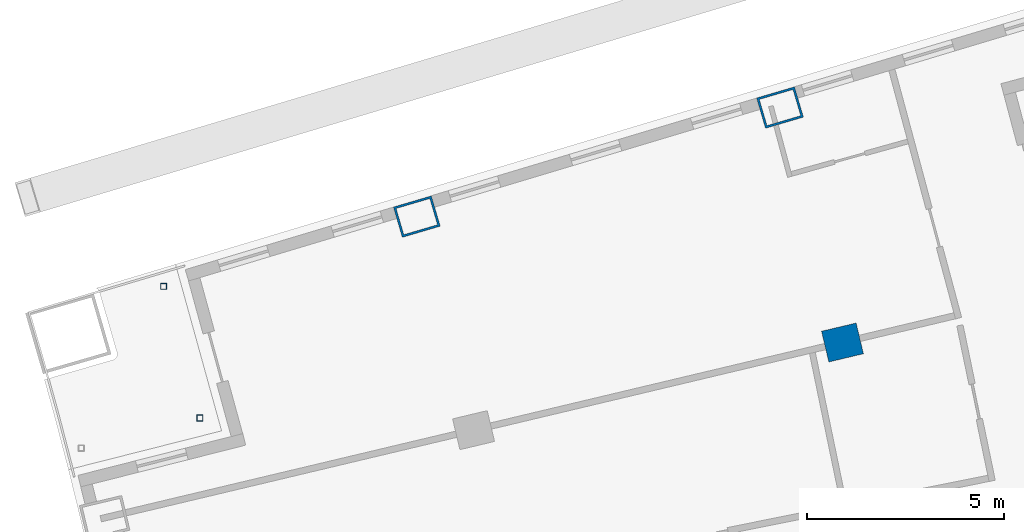
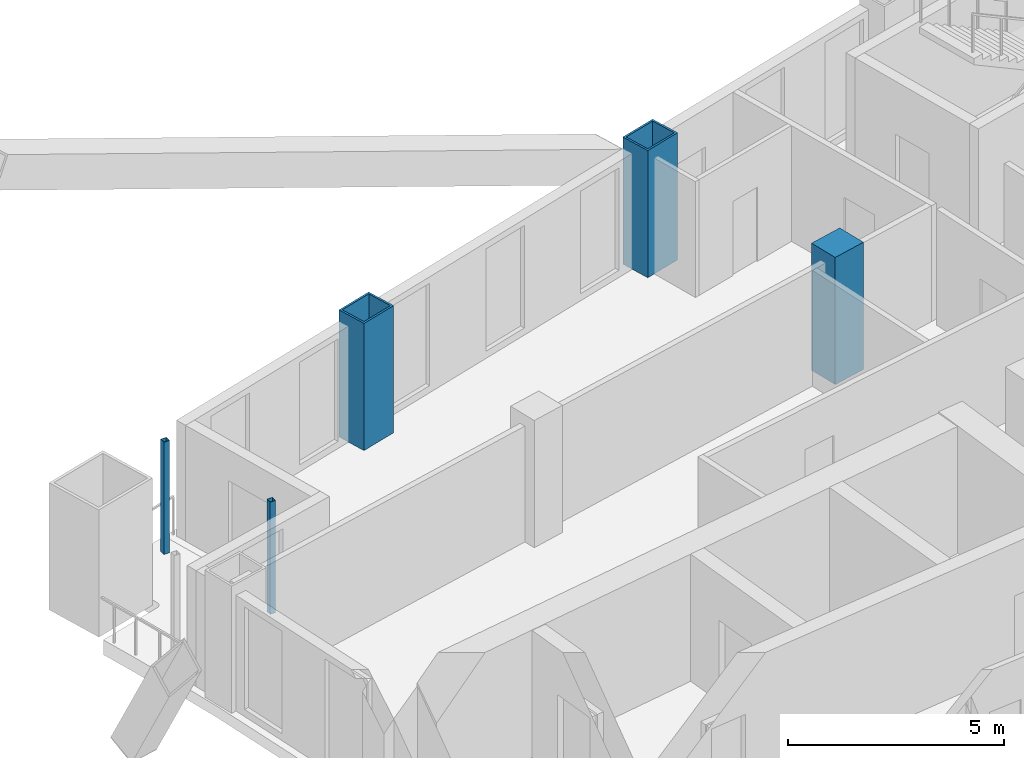
# One storey, part 7 of 20: 5 columns.
"""IFC4 building model written with IfcOpenShell, lengths in metres."""

import ifcopenshell
import ifcopenshell.guid

model = None  # the IFC model being written
_history = None  # IfcOwnerHistory: only IFC2X3 demands one
_inside = {}  # id of a spatial element -> (the spatial element, [elements in it])
_under = {}  # id of a project, library or spatial element -> (it, [spatial elements below it])
_declared = {}  # id of a project -> (the project, [libraries it declares])
_typed = {}  # id of a type object -> (the type object, [elements of that type])
_made_of = {}  # id of a material, layer set ... -> (it, [elements and type objects made of it])


def new_model(schema):
    """Start an empty IFC model of exactly this schema.

    Asked for "IFC4X3", IfcOpenShell would pick the latest addendum, in which some entities
    have other attributes; the version numbers below select the first issue.
    IFC2X3 requires an IfcOwnerHistory on every rooted entity: one is made here for all.
    """
    global model, _history
    if schema == "IFC4X3":
        model = ifcopenshell.file(schema_version=(4, 3, 0, 0))
    else:
        model = ifcopenshell.file(schema=schema)
    _inside.clear()
    _under.clear()
    _declared.clear()
    _typed.clear()
    _made_of.clear()
    _history = None
    if model.schema == "IFC2X3":
        org = make("IfcOrganization", Name="unknown")
        user = make(
            "IfcPersonAndOrganization",
            ThePerson=make("IfcPerson", FamilyName="unknown"),
            TheOrganization=org,
        )
        app = make(
            "IfcApplication",
            ApplicationDeveloper=org,
            Version="unknown",
            ApplicationFullName="unknown",
            ApplicationIdentifier="unknown",
        )
        _history = make(
            "IfcOwnerHistory",
            OwningUser=user,
            OwningApplication=app,
            ChangeAction="ADDED",
            CreationDate=0,
        )
    return model


def make(cls, **values):
    """One entity of the class cls with the attributes given. An attribute that is None is left unset."""
    return model.create_entity(
        cls, **{name: value for name, value in values.items() if value is not None}
    )


def rooted(cls, **values):
    """An entity with a GlobalId (a new one), such as an element, a storey or a relation."""
    return make(cls, GlobalId=ifcopenshell.guid.new(), OwnerHistory=_history, **values)


def si_unit(unit_type, name, prefix=None):
    """IfcSIUnit, for example si_unit("LENGTHUNIT", "METRE", prefix="MILLI")."""
    return make("IfcSIUnit", UnitType=unit_type, Prefix=prefix, Name=name)


def assignment(units):
    """IfcUnitAssignment: the units of a project."""
    return None if units is None else make("IfcUnitAssignment", Units=units)


def point(xyz):
    """IfcCartesianPoint."""
    return None if xyz is None else make("IfcCartesianPoint", Coordinates=xyz)


def direction(xyz):
    """IfcDirection."""
    return None if xyz is None else make("IfcDirection", DirectionRatios=xyz)


def frame(location, z_axis=None, x_axis=None):
    """IfcAxis2Placement3D, a coordinate frame: its origin and axes. An axis left out is left unset."""
    return make(
        "IfcAxis2Placement3D",
        Location=point(location),
        Axis=direction(z_axis),
        RefDirection=direction(x_axis),
    )


def frame_2d(location, x_axis=None):
    """IfcAxis2Placement2D, a coordinate frame in the plane: its origin and x axis."""
    return make(
        "IfcAxis2Placement2D", Location=point(location), RefDirection=direction(x_axis)
    )


def origin():
    """The frame at (0, 0, 0) with its axes left unset."""
    return frame((0.0, 0.0, 0.0))


def origin_2d():
    """The frame at (0, 0) in the plane with its x axis left unset."""
    return frame_2d((0.0, 0.0))


def place(relative_to, where):
    """IfcLocalPlacement: puts the frame where relative to a parent placement (None: the world)."""
    return make(
        "IfcLocalPlacement", PlacementRelTo=relative_to, RelativePlacement=where
    )


def context(
    kind, dimensions, precision=None, world=None, true_north=None, identifier=None
):
    """IfcGeometricRepresentationContext, for example the 3D "Model" context."""
    return make(
        "IfcGeometricRepresentationContext",
        ContextIdentifier=identifier,
        ContextType=kind,
        CoordinateSpaceDimension=dimensions,
        Precision=precision,
        WorldCoordinateSystem=world,
        TrueNorth=true_north,
    )


def subcontext(parent, identifier, kind, view, scale=None):
    """IfcGeometricRepresentationSubContext, for example "Body" below "Model"."""
    return make(
        "IfcGeometricRepresentationSubContext",
        ContextIdentifier=identifier,
        ContextType=kind,
        ParentContext=parent,
        TargetScale=scale,
        TargetView=view,
    )


def project(units=None, contexts=None):
    """IfcProject with its units and contexts."""
    return rooted(
        "IfcProject",
        Name="project",
        RepresentationContexts=contexts,
        UnitsInContext=assignment(units),
    )


def spatial(cls, under=None, at=None, **own):
    """A site, building, storey or space (cls), placed at a placement, below another one or the project."""
    s = rooted(cls, ObjectPlacement=at, **own)
    if under is not None:
        _under.setdefault(under.id(), (under, []))[1].append(s)
    return s


def profile(cls, at=None, kind="AREA", **sizes):
    """A parametric profile (cls). Its sizes go by their IFC names, for example OverallWidth=200.0."""
    return make(cls, ProfileType=kind, Position=at, **sizes)


def rectangle(**sizes):
    """IfcRectangleProfileDef."""
    return profile("IfcRectangleProfileDef", **sizes)


def hollow_rectangle(**sizes):
    """IfcRectangleHollowProfileDef."""
    return profile("IfcRectangleHollowProfileDef", **sizes)


def extrude(swept, where, along, depth):
    """IfcExtrudedAreaSolid: the profile swept, set in the frame where, extruded along a direction by depth."""
    return make(
        "IfcExtrudedAreaSolid",
        SweptArea=swept,
        Position=where,
        ExtrudedDirection=direction(along),
        Depth=depth,
    )


def shape(context_of_items, identifier, shape_type, items):
    """IfcShapeRepresentation: the items that make up one representation, for example the "Body"."""
    return make(
        "IfcShapeRepresentation",
        ContextOfItems=context_of_items,
        RepresentationIdentifier=identifier,
        RepresentationType=shape_type,
        Items=items,
    )


def material(Name=None, Category=None):
    """IfcMaterial."""
    return make("IfcMaterial", Name=Name, Category=Category)


def material_profile(
    of_material, cross_section, Name=None, Category=None, Priority=None
):
    """IfcMaterialProfile: a cross section and its material."""
    return make(
        "IfcMaterialProfile",
        Name=Name,
        Material=of_material,
        Profile=cross_section,
        Priority=Priority,
        Category=Category,
    )


def profile_set(profiles, Name=None, composite=None):
    """IfcMaterialProfileSet."""
    return make(
        "IfcMaterialProfileSet",
        Name=Name,
        MaterialProfiles=profiles,
        CompositeProfile=composite,
    )


def made_of(thing, what):
    """Note that an element or type object is made of a material, layer set ...; save() writes the relation."""
    if what is not None:
        _made_of.setdefault(what.id(), (what, []))[1].append(thing)
    return thing


def type_object(cls, material=None, **own):
    """A type object (cls), such as IfcWallType, which elements share."""
    return made_of(rooted(cls, **own), material)


def element(
    cls,
    number,
    at=None,
    inside=None,
    cuts=None,
    type_object=None,
    material=None,
    context=None,
    identifier="Body",
    shape_type=None,
    held_by="IfcProductDefinitionShape",
    body=None,
    shapes=None,
    **own,
):
    """One element of the class cls, such as IfcWall. Its Tag is "e" and its number.

    at: its placement. inside: the storey or other place that contains it. cuts: it is an
    opening in that element (IfcRelVoidsElement). A single representation is given by context,
    identifier, shape_type and body (its items); several are given by shapes. held_by: the class
    of the entity that holds the representations. save() writes the other relations.
    """
    e = rooted(cls, Tag="e%d" % number, ObjectPlacement=at, **own)
    if body is not None:
        shapes = [shape(context, identifier, shape_type, body)]
    if shapes is not None:
        e.Representation = make(held_by, Representations=shapes)
    if inside is not None:
        _inside.setdefault(inside.id(), (inside, []))[1].append(e)
    if cuts is not None:
        rooted(
            "IfcRelVoidsElement", RelatingBuildingElement=cuts, RelatedOpeningElement=e
        )
    if type_object is not None:
        _typed.setdefault(type_object.id(), (type_object, []))[1].append(e)
    return made_of(e, material)


def aggregate(whole, parts):
    """IfcRelAggregates: a whole, such as a stair, and the parts it consists of."""
    return rooted("IfcRelAggregates", RelatingObject=whole, RelatedObjects=parts)


def save(model, path):
    """Write the relations noted so far, then the file.

    IfcRelAggregates (storeys below a building ...), IfcRelContainedInSpatialStructure (elements
    in a storey), IfcRelDefinesByType, IfcRelAssociatesMaterial and IfcRelDeclares: one each for
    every whole, place, type object, material and project.
    """
    for whole, parts in _under.values():
        aggregate(whole, parts)
    for where, things in _inside.values():
        rooted(
            "IfcRelContainedInSpatialStructure",
            RelatedElements=things,
            RelatingStructure=where,
        )
    for kind, things in _typed.values():
        rooted("IfcRelDefinesByType", RelatedObjects=things, RelatingType=kind)
    for what, things in _made_of.values():
        rooted("IfcRelAssociatesMaterial", RelatedObjects=things, RelatingMaterial=what)
    for by, libraries in _declared.values():
        rooted("IfcRelDeclares", RelatingContext=by, RelatedDefinitions=libraries)
    model.write(path)


model = new_model("IFC4")

# Units and contexts
model_context = context("Model", 3, precision=1e-05, world=origin(), true_north=direction((0.0, 1.0)))
body_context = subcontext(model_context, "Body", "Model", "MODEL_VIEW")
ifc_project = project(units=[si_unit("LENGTHUNIT", "METRE"), si_unit("AREAUNIT", "SQUARE_METRE"), si_unit("VOLUMEUNIT", "CUBIC_METRE"), si_unit("PLANEANGLEUNIT", "RADIAN"), si_unit("MASSUNIT", "GRAM", prefix="KILO")], contexts=[model_context])

# Site, building, storey
site_placement = place(None, origin())
site = spatial("IfcSite", under=ifc_project, at=site_placement, CompositionType="ELEMENT")
building_placement = place(site_placement, origin())
building = spatial("IfcBuilding", under=site, at=building_placement, Name="Alderwake Tower", CompositionType="ELEMENT")
storey_placement = place(building_placement, frame((0.0, 0.0, 149.60009765625)))
storey = spatial("IfcBuildingStorey", under=building, at=storey_placement, Name="L36", CompositionType="ELEMENT", Elevation=149.60009765625)

# Columns
ifc_material_1 = material(Name="Steel ASTM A572 Grade 50 concrete filled C70/85", Category="concrete")
ifc_material_profile_1 = material_profile(ifc_material_1, hollow_rectangle(XDim=0.800048828125, YDim=1.0, WallThickness=0.054931640625, at=origin_2d()), Name="BOX 1000X800X55")
ifc_profile_set_1 = profile_set([ifc_material_profile_1], Name="Steel ASTM A572 Grade 50 concrete filled C70/85")
column_type_1 = type_object("IfcColumnType", Name="End column Z3", PredefinedType="COLUMN", material=ifc_profile_set_1)
for number, where, z_axis, x_axis, name in (
    (1, (21.885498046875, 90.96240234375, 0.0), (0.0, 0.0, 1.0), (-0.282132160283, 0.95937554906, 0.0), "Column R12-C1"),
    (2, (31.080322265625, 93.72314453125, 0.0), (0.0, 0.0, 1.0), (-0.282582549822, 0.959242984095, 0.0), "Column R12-C2"),
):
    element("IfcColumn", number, at=place(storey_placement, frame(where, z_axis=z_axis, x_axis=x_axis)), inside=storey, type_object=column_type_1, Name=name, PredefinedType="COLUMN", context=body_context, shape_type="SweptSolid", body=[
        extrude(hollow_rectangle(XDim=0.800048828125, YDim=1.0, WallThickness=0.054931640625, at=origin_2d()), origin(), (0.0, 0.0, 1.0), 3.599853515625),
    ])
ifc_material_2 = material(Name="Concrete C70/85", Category="concrete")
ifc_material_profile_2 = material_profile(ifc_material_2, rectangle(XDim=0.800048828125, YDim=0.89990234375, at=origin_2d()), Name="RC 900X800")
ifc_profile_set_2 = profile_set([ifc_material_profile_2], Name="Concrete C70/85")
column_type_2 = type_object("IfcColumnType", Name="Interior column Z3", PredefinedType="COLUMN", material=ifc_profile_set_2)
column_placement = place(storey_placement, frame((32.661865234375, 87.775390625, 0.0), z_axis=(0.0, 0.0, 1.0), x_axis=(-0.231221547198, 0.972901123502, 0.0)))
element("IfcColumn", 3, at=column_placement, inside=storey, type_object=column_type_2, Name="Column R11-C2", PredefinedType="COLUMN", context=body_context, shape_type="SweptSolid", body=[
    extrude(rectangle(XDim=0.800048828125, YDim=0.89990234375, at=origin_2d()), origin(), (0.0, 0.0, 1.0), 3.599853515625),
])
ifc_material_3 = material(Name="Steel ASTM A500 Grade C", Category="steel")
ifc_material_profile_3 = material_profile(ifc_material_3, hollow_rectangle(XDim=0.15234375, YDim=0.15234375, WallThickness=0.0087890625, at=origin_2d()), Name="HSS6X6X3/8")
ifc_profile_set_3 = profile_set([ifc_material_profile_3], Name="Steel ASTM A500 Grade C")
column_type_3 = type_object("IfcColumnType", Name="Light post HSS6X6X3/8", PredefinedType="COLUMN", material=ifc_profile_set_3)
for number, where, z_axis, x_axis, name in (
    (4, (15.47412109375, 89.194091796875, 0.0), (0.0, 0.0, 1.0), (1.0, 0.0, 0.0), "Terrace post RN2"),
    (5, (16.39501953125, 85.864013671875, 0.0), (0.0, 0.0, 1.0), (1.0, 0.0, 0.0), "Terrace post RN3"),
):
    element("IfcColumn", number, at=place(storey_placement, frame(where, z_axis=z_axis, x_axis=x_axis)), inside=storey, type_object=column_type_3, Name=name, PredefinedType="COLUMN", context=body_context, shape_type="SweptSolid", body=[
        extrude(hollow_rectangle(XDim=0.15234375, YDim=0.15234375, WallThickness=0.0087890625, at=origin_2d()), origin(), (0.0, 0.0, 1.0), 3.179931640625),
    ])

save(model, "model.ifc")
